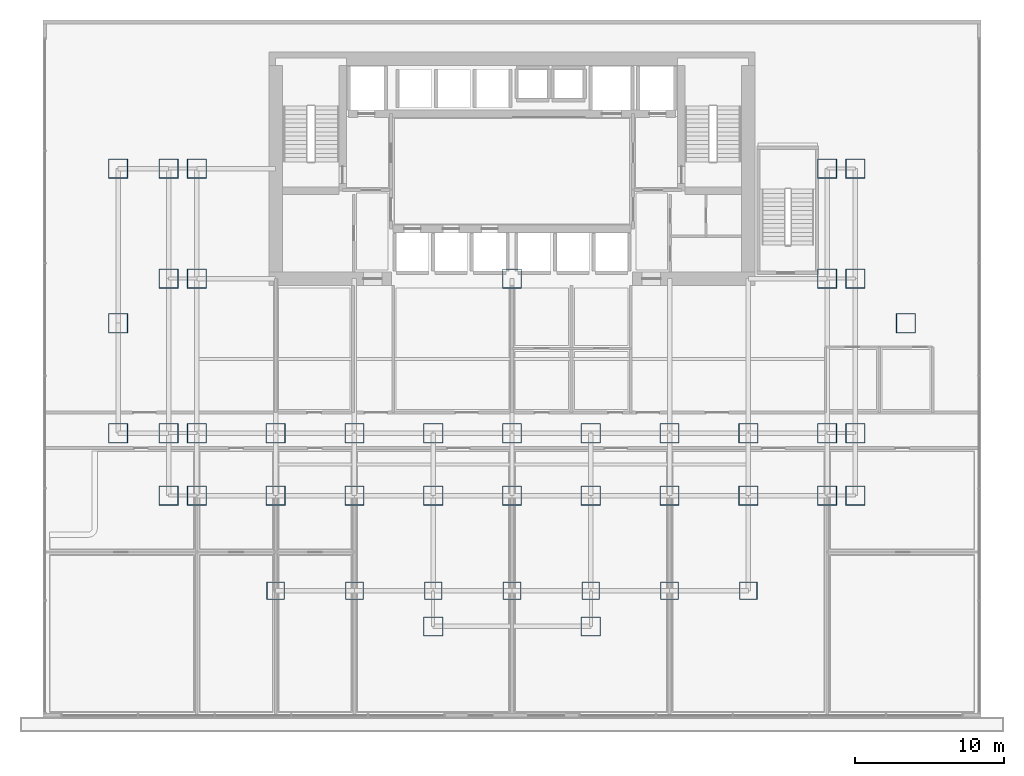
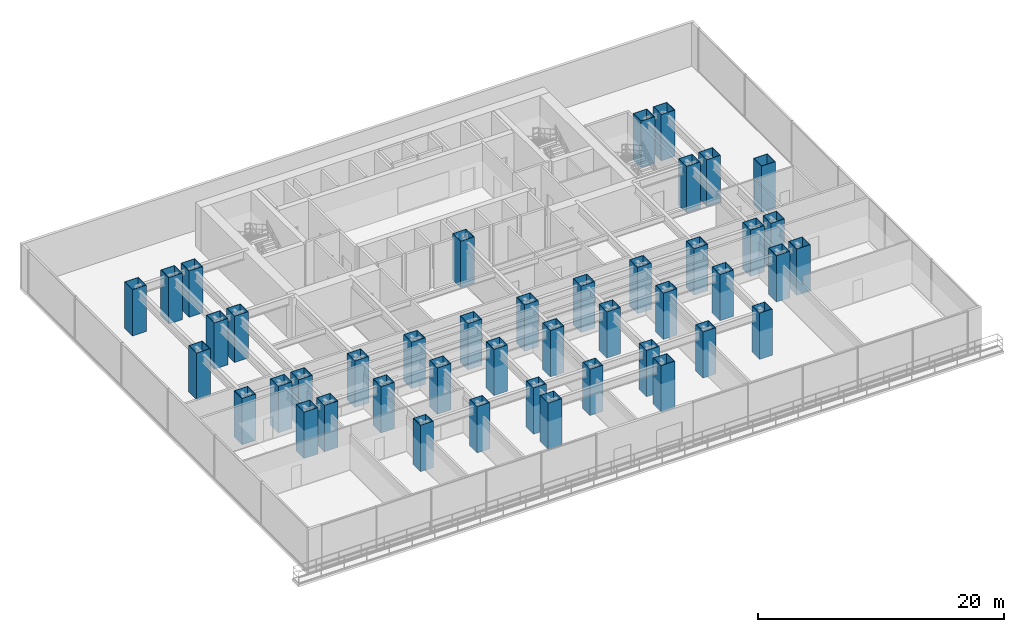
# One storey, part 1 of 13: 44 columns.
"""IFC4 building model written with IfcOpenShell, lengths in metres."""

from ifc_helpers import new_model, si_unit, direction, frame, origin, origin_2d, place, context, subcontext, project, spatial, hollow_rectangle, extrude, material, material_profile, profile_set, type_object, element, save


model = new_model("IFC4")

# Units and contexts
model_context = context("Model", 3, precision=1e-05, world=origin(), true_north=direction((0.0, 1.0)))
body_context = subcontext(model_context, "Body", "Model", "MODEL_VIEW")
ifc_project = project(units=[si_unit("LENGTHUNIT", "METRE"), si_unit("AREAUNIT", "SQUARE_METRE"), si_unit("VOLUMEUNIT", "CUBIC_METRE"), si_unit("PLANEANGLEUNIT", "RADIAN"), si_unit("MASSUNIT", "GRAM", prefix="KILO")], contexts=[model_context])

# Site, building, storey
site_placement = place(None, origin())
site = spatial("IfcSite", under=ifc_project, at=site_placement, CompositionType="ELEMENT")
building_placement = place(site_placement, origin())
building = spatial("IfcBuilding", under=site, at=building_placement, Name="Qianlan Lanfeng Residences", CompositionType="ELEMENT")
storey_placement = place(building_placement, frame((0.0, 0.0, 14.39990234375)))
storey = spatial("IfcBuildingStorey", under=building, at=storey_placement, Name="L03", CompositionType="ELEMENT", Elevation=14.39990234375)

# Columns
ifc_material = material(Name="Steel SM570 (420 MPa)", Category="steel")
ifc_material_profile_1 = material_profile(ifc_material, hollow_rectangle(XDim=1.300048828125, YDim=1.300048828125, WallThickness=0.0419921875, at=origin_2d()), Name="BOX 1300x1300x42")
ifc_profile_set_1 = profile_set([ifc_material_profile_1], Name="Steel SM570 (420 MPa)")
column_type_1 = type_object("IfcColumnType", Name="C-B1500", PredefinedType="COLUMN", material=ifc_profile_set_1)
for number, where, z_axis, x_axis, name in (
    (1, (21.199951171875, 1.800048828125, 0.0), (0.0, 0.0, 1.0), (1.0, 0.0, 0.0), "L03 Structural Column P_21.20_1.80"),
    (2, (31.800048828125, 1.800048828125, 0.0), (0.0, 0.0, 1.0), (1.0, 0.0, 0.0), "L03 Structural Column P_31.80_1.80"),
    (3, (26.5, 25.199951171875, 0.0), (0.0, 0.0, 1.0), (1.0, 0.0, 0.0), "L03 Structural Column CP_26.5_25.2"),
    (4, (10.60009765625, 14.800048828125, 0.0), (0.0, 0.0, 1.0), (1.0, 0.0, 0.0), "L03 Structural Column M_10.60_14.80"),
    (5, (10.60009765625, 10.60009765625, 0.0), (0.0, 0.0, 1.0), (1.0, 0.0, 0.0), "L03 Structural Column G_10.60_10.60"),
    (6, (15.89990234375, 14.800048828125, 0.0), (0.0, 0.0, 1.0), (1.0, 0.0, 0.0), "L03 Structural Column M_15.90_14.80"),
    (7, (15.89990234375, 10.60009765625, 0.0), (0.0, 0.0, 1.0), (1.0, 0.0, 0.0), "L03 Structural Column G_15.90_10.60"),
    (8, (21.199951171875, 14.800048828125, 0.0), (0.0, 0.0, 1.0), (1.0, 0.0, 0.0), "L03 Structural Column M_21.20_14.80"),
    (9, (21.199951171875, 10.60009765625, 0.0), (0.0, 0.0, 1.0), (1.0, 0.0, 0.0), "L03 Structural Column G_21.20_10.60"),
    (10, (26.5, 14.800048828125, 0.0), (0.0, 0.0, 1.0), (1.0, 0.0, 0.0), "L03 Structural Column M_26.50_14.80"),
    (11, (26.5, 10.60009765625, 0.0), (0.0, 0.0, 1.0), (1.0, 0.0, 0.0), "L03 Structural Column G_26.50_10.60"),
    (12, (31.800048828125, 14.800048828125, 0.0), (0.0, 0.0, 1.0), (1.0, 0.0, 0.0), "L03 Structural Column M_31.80_14.80"),
    (13, (31.800048828125, 10.60009765625, 0.0), (0.0, 0.0, 1.0), (1.0, 0.0, 0.0), "L03 Structural Column G_31.80_10.60"),
    (14, (37.10009765625, 14.800048828125, 0.0), (0.0, 0.0, 1.0), (1.0, 0.0, 0.0), "L03 Structural Column M_37.10_14.80"),
    (15, (37.10009765625, 10.60009765625, 0.0), (0.0, 0.0, 1.0), (1.0, 0.0, 0.0), "L03 Structural Column G_37.10_10.60"),
    (16, (42.39990234375, 14.800048828125, 0.0), (0.0, 0.0, 1.0), (1.0, 0.0, 0.0), "L03 Structural Column M_42.40_14.80"),
    (17, (42.39990234375, 10.60009765625, 0.0), (0.0, 0.0, 1.0), (1.0, 0.0, 0.0), "L03 Structural Column G_42.40_10.60"),
    (18, (3.39990234375, 10.60009765625, 0.0), (0.0, 0.0, 1.0), (1.0, 0.0, 0.0), "L03 Structural Column W_3.40_10.60"),
    (19, (3.39990234375, 14.800048828125, 0.0), (0.0, 0.0, 1.0), (1.0, 0.0, 0.0), "L03 Structural Column W_3.40_14.80"),
    (20, (3.39990234375, 25.199951171875, 0.0), (0.0, 0.0, 1.0), (1.0, 0.0, 0.0), "L03 Structural Column W_3.40_25.20"),
    (21, (3.39990234375, 32.60009765625, 0.0), (0.0, 0.0, 1.0), (1.0, 0.0, 0.0), "L03 Structural Column W_3.40_32.60"),
    (22, (5.300048828125, 10.60009765625, 0.0), (0.0, 0.0, 1.0), (1.0, 0.0, 0.0), "L03 Structural Column W_5.30_10.60"),
    (23, (5.300048828125, 14.800048828125, 0.0), (0.0, 0.0, 1.0), (1.0, 0.0, 0.0), "L03 Structural Column W_5.30_14.80"),
    (24, (5.300048828125, 25.199951171875, 0.0), (0.0, 0.0, 1.0), (1.0, 0.0, 0.0), "L03 Structural Column W_5.30_25.20"),
    (25, (5.300048828125, 32.60009765625, 0.0), (0.0, 0.0, 1.0), (1.0, 0.0, 0.0), "L03 Structural Column W_5.30_32.60"),
    (26, (47.699951171875, 10.60009765625, 0.0), (0.0, 0.0, 1.0), (1.0, 0.0, 0.0), "L03 Structural Column W_47.70_10.60"),
    (27, (47.699951171875, 14.800048828125, 0.0), (0.0, 0.0, 1.0), (1.0, 0.0, 0.0), "L03 Structural Column W_47.70_14.80"),
    (28, (47.699951171875, 25.199951171875, 0.0), (0.0, 0.0, 1.0), (1.0, 0.0, 0.0), "L03 Structural Column W_47.70_25.20"),
    (29, (47.699951171875, 32.60009765625, 0.0), (0.0, 0.0, 1.0), (1.0, 0.0, 0.0), "L03 Structural Column W_47.70_32.60"),
    (30, (49.60009765625, 10.60009765625, 0.0), (0.0, 0.0, 1.0), (1.0, 0.0, 0.0), "L03 Structural Column W_49.60_10.60"),
    (31, (49.60009765625, 14.800048828125, 0.0), (0.0, 0.0, 1.0), (1.0, 0.0, 0.0), "L03 Structural Column W_49.60_14.80"),
    (32, (49.60009765625, 25.199951171875, 0.0), (0.0, 0.0, 1.0), (1.0, 0.0, 0.0), "L03 Structural Column W_49.60_25.20"),
    (33, (49.60009765625, 32.60009765625, 0.0), (0.0, 0.0, 1.0), (1.0, 0.0, 0.0), "L03 Structural Column W_49.60_32.60"),
    (34, (0.0, 14.800048828125, 0.0), (0.0, 0.0, 1.0), (1.0, 0.0, 0.0), "L03 Structural Column P_+0.0_+14.8"),
    (35, (0.0, 22.199951171875, 0.0), (0.0, 0.0, 1.0), (1.0, 0.0, 0.0), "L03 Structural Column P_+0.0_+22.2"),
    (36, (0.0, 32.60009765625, 0.0), (0.0, 0.0, 1.0), (1.0, 0.0, 0.0), "L03 Structural Column P_+0.0_+32.6"),
    (37, (53.0, 22.199951171875, 0.0), (0.0, 0.0, 1.0), (1.0, 0.0, 0.0), "L03 Structural Column P_+53.0_+22.2"),
):
    element("IfcColumn", number, at=place(storey_placement, frame(where, z_axis=z_axis, x_axis=x_axis)), inside=storey, type_object=column_type_1, Name=name, PredefinedType="COLUMN", context=body_context, shape_type="SweptSolid", body=[
        extrude(hollow_rectangle(XDim=1.300048828125, YDim=1.300048828125, WallThickness=0.0419921875, at=origin_2d()), origin(), (0.0, 0.0, 1.0), 4.60009765625),
    ])
ifc_material_profile_2 = material_profile(ifc_material, hollow_rectangle(XDim=1.199951171875, YDim=1.199951171875, WallThickness=0.0400390625, at=origin_2d()), Name="BOX 1200x1200x40")
ifc_profile_set_2 = profile_set([ifc_material_profile_2], Name="Steel SM570 (420 MPa)")
column_type_2 = type_object("IfcColumnType", Name="CE-B1400", PredefinedType="COLUMN", material=ifc_profile_set_2)
for number, where, z_axis, x_axis, name in (
    (38, (10.60009765625, 4.199951171875, 0.0), (0.0, 0.0, 1.0), (1.0, 0.0, 0.0), "L03 Structural Column S_10.60_4.20"),
    (39, (15.89990234375, 4.199951171875, 0.0), (0.0, 0.0, 1.0), (1.0, 0.0, 0.0), "L03 Structural Column S_15.90_4.20"),
    (40, (21.199951171875, 4.199951171875, 0.0), (0.0, 0.0, 1.0), (1.0, 0.0, 0.0), "L03 Structural Column S_21.20_4.20"),
    (41, (26.5, 4.199951171875, 0.0), (0.0, 0.0, 1.0), (1.0, 0.0, 0.0), "L03 Structural Column S_26.50_4.20"),
    (42, (31.800048828125, 4.199951171875, 0.0), (0.0, 0.0, 1.0), (1.0, 0.0, 0.0), "L03 Structural Column S_31.80_4.20"),
    (43, (37.10009765625, 4.199951171875, 0.0), (0.0, 0.0, 1.0), (1.0, 0.0, 0.0), "L03 Structural Column S_37.10_4.20"),
    (44, (42.39990234375, 4.199951171875, 0.0), (0.0, 0.0, 1.0), (1.0, 0.0, 0.0), "L03 Structural Column S_42.40_4.20"),
):
    element("IfcColumn", number, at=place(storey_placement, frame(where, z_axis=z_axis, x_axis=x_axis)), inside=storey, type_object=column_type_2, Name=name, PredefinedType="COLUMN", context=body_context, shape_type="SweptSolid", body=[
        extrude(hollow_rectangle(XDim=1.199951171875, YDim=1.199951171875, WallThickness=0.0400390625, at=origin_2d()), origin(), (0.0, 0.0, 1.0), 4.60009765625),
    ])

save(model, "model.ifc")
